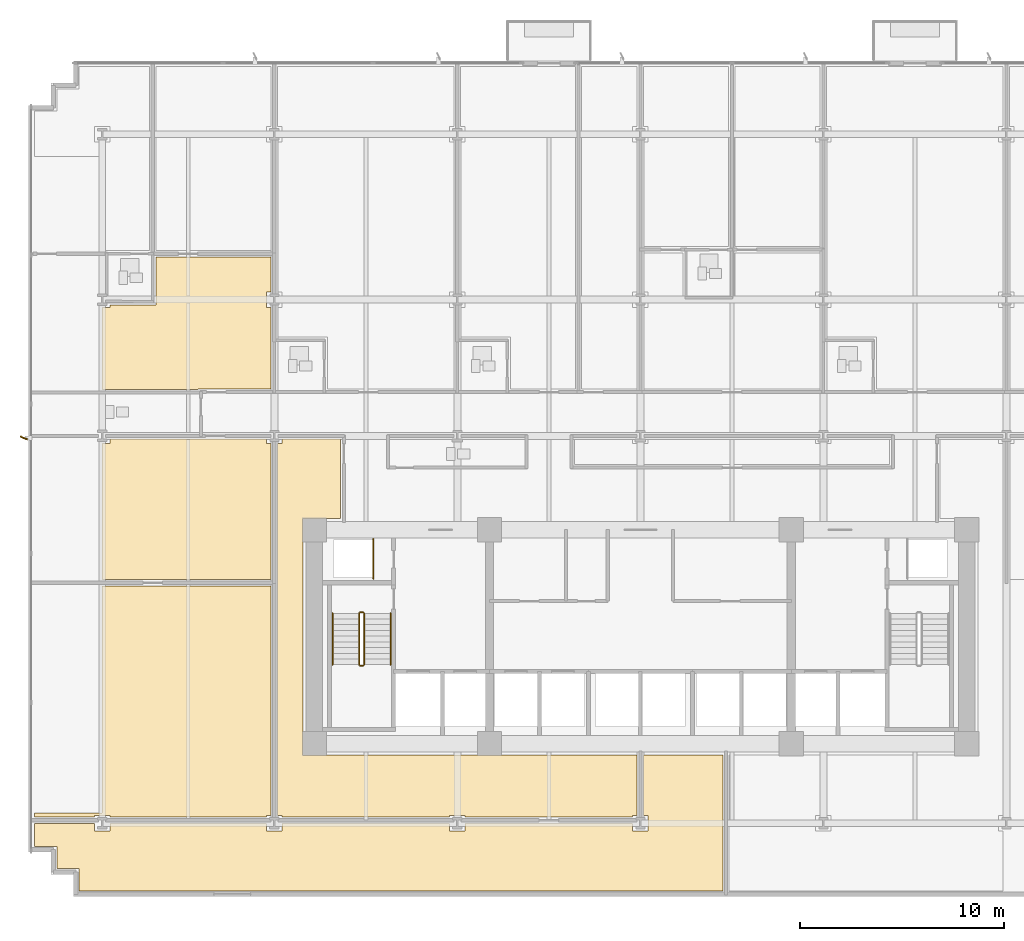
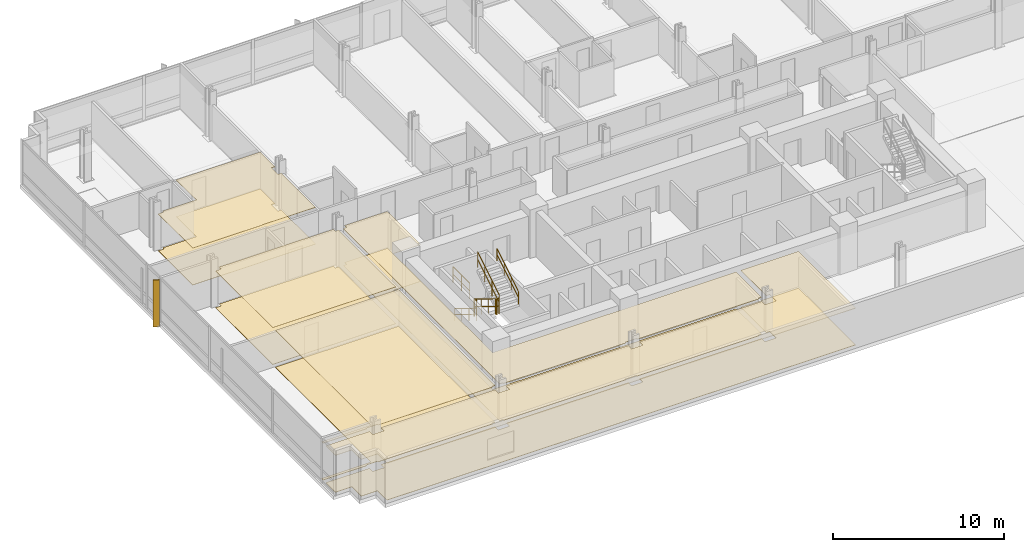
# One storey, part 12 of 16: 10 coverings, 7 railings, 1 shading device.
"""IFC4 building model written with IfcOpenShell, lengths in metres."""

from ifc_helpers import new_model, si_unit, direction, frame, origin, origin_2d, place, context, subcontext, project, spatial, polyline, rectangle, circle, outline, extrude, material, layer, layer_set, type_object, element, save


model = new_model("IFC4")

# Units and contexts
model_context = context("Model", 3, precision=1e-05, world=origin(), true_north=direction((0.0, 1.0)))
body_context = subcontext(model_context, "Body", "Model", "MODEL_VIEW")
ifc_project = project(units=[si_unit("LENGTHUNIT", "METRE"), si_unit("AREAUNIT", "SQUARE_METRE"), si_unit("VOLUMEUNIT", "CUBIC_METRE"), si_unit("PLANEANGLEUNIT", "RADIAN"), si_unit("MASSUNIT", "GRAM", prefix="KILO")], contexts=[model_context])

# Site, building, storey
site_placement = place(None, origin())
site = spatial("IfcSite", under=ifc_project, at=site_placement, CompositionType="ELEMENT")
building_placement = place(site_placement, origin())
building = spatial("IfcBuilding", under=site, at=building_placement, Name="Solmavex Isthmus Hotel", CompositionType="ELEMENT")
storey_placement = place(building_placement, frame((0.0, 0.0, 29.85009765625)))
storey = spatial("IfcBuildingStorey", under=building, at=storey_placement, Name="L07", CompositionType="ELEMENT", Elevation=29.85009765625)

# Coverings
ifc_material_1 = material(Name="Gypsum plasterboard lining", Category="gypsum")
ifc_layer_1 = layer(ifc_material_1, 0.030029296875)
ifc_layer_set_1 = layer_set([ifc_layer_1], Name="Gypsum plasterboard lining")
covering_type_1 = type_object("IfcCoveringType", Name="COV-CEIL-GYP", PredefinedType="CEILING", material=ifc_layer_set_1)
covering_1_placement = place(storey_placement, frame((0.0, 0.0, 2.619873046875)))
element("IfcCovering", 1, at=covering_1_placement, inside=storey, type_object=covering_type_1, Name="Suspended Acoustic Ceiling L07-SH01-LV", PredefinedType="CEILING", context=body_context, shape_type="SweptSolid", body=[
    extrude(outline(polyline([(-26.02001953125, 8.532958984375), (-26.02001953125, 8.407958984375), (-26.39990234375, 8.407958984375), (-26.39990234375, 4.385009765625), (-21.70703125, 4.385009765625), (-21.70703125, 4.405029296875), (-18.10693359375, 4.405029296875), (-18.10693359375, 8.407958984375), (-18.33203125, 8.407958984375), (-18.33203125, 9.16796875), (-18.10693359375, 9.16796875), (-18.10693359375, 10.883056640625), (-23.760986328125, 10.883056640625), (-23.760986328125, 8.532958984375), (-26.02001953125, 8.532958984375)])), origin(), (0.0, 0.0, 1.0), 0.030029296875),
])
covering_2_placement = place(storey_placement, frame((0.0, 0.0, 2.619873046875)))
element("IfcCovering", 2, at=covering_2_placement, inside=storey, type_object=covering_type_1, Name="Suspended Acoustic Ceiling L07-FL12", PredefinedType="CEILING", context=body_context, shape_type="SweptSolid", body=[
    extrude(outline(polyline([(-26.02001953125, 1.945068359375), (-26.02001953125, 1.719970703125), (-26.39990234375, 1.719970703125), (-26.39990234375, -4.945068359375), (-18.10693359375, -4.945068359375), (-18.10693359375, 1.719970703125), (-18.33203125, 1.719970703125), (-18.33203125, 1.945068359375), (-26.02001953125, 1.945068359375)])), origin(), (0.0, 0.0, 1.0), 0.030029296875),
])
covering_3_placement = place(storey_placement, frame((0.0, 0.0, 2.619873046875)))
element("IfcCovering", 3, at=covering_3_placement, inside=storey, type_object=covering_type_1, Name="Suspended Acoustic Ceiling L07-FL14", PredefinedType="CEILING", context=body_context, shape_type="SweptSolid", body=[
    extrude(outline(polyline([(-17.797119140625, -16.52001953125), (-17.572021484375, -16.52001953125), (-17.572021484375, -16.594970703125), (-9.35595703125, -16.594970703125), (-9.35595703125, -16.52001953125), (-8.595947265625, -16.52001953125), (-8.595947265625, -16.594970703125), (-0.3798828125, -16.594970703125), (-0.3798828125, -16.52001953125), (-0.155029296875, -16.52001953125), (-0.155029296875, -13.554931640625), (-16.554931640625, -13.554931640625), (-16.554931640625, -1.945068359375), (-14.698974609375, -1.945068359375), (-14.698974609375, 1.945068359375), (-17.572021484375, 1.945068359375), (-17.572021484375, 1.719970703125), (-17.797119140625, 1.719970703125), (-17.797119140625, -16.52001953125)])), origin(), (0.0, 0.0, 1.0), 0.030029296875),
])
covering_4_placement = place(storey_placement, frame((0.0, 0.0, 2.619873046875)))
element("IfcCovering", 4, at=covering_4_placement, inside=storey, type_object=covering_type_1, Name="Suspended Acoustic Ceiling L07-FL16", PredefinedType="CEILING", context=body_context, shape_type="SweptSolid", body=[
    extrude(outline(polyline([(-26.02001953125, -16.905029296875), (-26.02001953125, -17.280029296875), (-26.780029296875, -17.280029296875), (-26.780029296875, -16.905029296875), (-29.72509765625, -16.905029296875), (-29.72509765625, -18.02490234375), (-28.625, -18.02490234375), (-28.625, -19.125), (-27.52490234375, -19.125), (-27.52490234375, -20.22509765625), (4.044921875, -20.22509765625), (4.044921875, -13.554931640625), (0.155029296875, -13.554931640625), (0.155029296875, -16.52001953125), (0.3798828125, -16.52001953125), (0.3798828125, -17.280029296875), (-0.3798828125, -17.280029296875), (-0.3798828125, -16.905029296875), (-8.595947265625, -16.905029296875), (-8.595947265625, -17.280029296875), (-9.35595703125, -17.280029296875), (-9.35595703125, -16.905029296875), (-17.572021484375, -16.905029296875), (-17.572021484375, -17.280029296875), (-18.33203125, -17.280029296875), (-18.33203125, -16.905029296875), (-26.02001953125, -16.905029296875)])), origin(), (0.0, 0.0, 1.0), 0.030029296875),
])
covering_5_placement = place(storey_placement, frame((0.0, 0.0, 2.619873046875)))
element("IfcCovering", 5, at=covering_5_placement, inside=storey, type_object=covering_type_1, Name="Suspended Acoustic Ceiling L07-FL17", PredefinedType="CEILING", context=body_context, shape_type="SweptSolid", body=[
    extrude(outline(polyline([(-26.780029296875, -16.594970703125), (-26.780029296875, -16.52001953125), (-26.02001953125, -16.52001953125), (-26.02001953125, -16.594970703125), (-18.33203125, -16.594970703125), (-18.33203125, -16.52001953125), (-18.10693359375, -16.52001953125), (-18.10693359375, -5.2548828125), (-26.39990234375, -5.2548828125), (-26.39990234375, -16.39990234375), (-29.72509765625, -16.39990234375), (-29.72509765625, -16.594970703125), (-26.780029296875, -16.594970703125)])), origin(), (0.0, 0.0, 1.0), 0.030029296875),
])
ifc_material_2 = material(Name="Travertine natural stone", Category="masonry")
ifc_layer_2 = layer(ifc_material_2, 0.02490234375)
ifc_layer_set_2 = layer_set([ifc_layer_2], Name="Travertine natural stone")
covering_type_2 = type_object("IfcCoveringType", Name="COV-FLOR-STN", PredefinedType="FLOORING", material=ifc_layer_set_2)
covering_6_placement = place(storey_placement, origin())
element("IfcCovering", 6, at=covering_6_placement, inside=storey, type_object=covering_type_2, Name="Stone and Timber Floor Finish L07-SH01-LV", PredefinedType="FLOORING", context=body_context, shape_type="SweptSolid", body=[
    extrude(outline(polyline([(-26.02001953125, 8.532958984375), (-26.02001953125, 8.407958984375), (-26.39990234375, 8.407958984375), (-26.39990234375, 4.385009765625), (-21.70703125, 4.385009765625), (-21.70703125, 4.405029296875), (-18.10693359375, 4.405029296875), (-18.10693359375, 8.407958984375), (-18.33203125, 8.407958984375), (-18.33203125, 9.16796875), (-18.10693359375, 9.16796875), (-18.10693359375, 10.883056640625), (-23.760986328125, 10.883056640625), (-23.760986328125, 8.532958984375), (-26.02001953125, 8.532958984375)])), origin(), (0.0, 0.0, 1.0), 0.02490234375),
])
covering_7_placement = place(storey_placement, origin())
element("IfcCovering", 7, at=covering_7_placement, inside=storey, type_object=covering_type_2, Name="Stone and Timber Floor Finish L07-FL12", PredefinedType="FLOORING", context=body_context, shape_type="SweptSolid", body=[
    extrude(outline(polyline([(-26.02001953125, 1.945068359375), (-26.02001953125, 1.719970703125), (-26.39990234375, 1.719970703125), (-26.39990234375, -4.945068359375), (-18.10693359375, -4.945068359375), (-18.10693359375, 1.719970703125), (-18.33203125, 1.719970703125), (-18.33203125, 1.945068359375), (-26.02001953125, 1.945068359375)])), origin(), (0.0, 0.0, 1.0), 0.02490234375),
])
covering_8_placement = place(storey_placement, origin())
element("IfcCovering", 8, at=covering_8_placement, inside=storey, type_object=covering_type_2, Name="Stone and Timber Floor Finish L07-FL14", PredefinedType="FLOORING", context=body_context, shape_type="SweptSolid", body=[
    extrude(outline(polyline([(-17.797119140625, -16.52001953125), (-17.572021484375, -16.52001953125), (-17.572021484375, -16.594970703125), (-9.35595703125, -16.594970703125), (-9.35595703125, -16.52001953125), (-8.595947265625, -16.52001953125), (-8.595947265625, -16.594970703125), (-0.3798828125, -16.594970703125), (-0.3798828125, -16.52001953125), (-0.155029296875, -16.52001953125), (-0.155029296875, -13.554931640625), (-16.554931640625, -13.554931640625), (-16.554931640625, -1.945068359375), (-14.698974609375, -1.945068359375), (-14.698974609375, 1.945068359375), (-17.572021484375, 1.945068359375), (-17.572021484375, 1.719970703125), (-17.797119140625, 1.719970703125), (-17.797119140625, -16.52001953125)])), origin(), (0.0, 0.0, 1.0), 0.02490234375),
])
covering_9_placement = place(storey_placement, origin())
element("IfcCovering", 9, at=covering_9_placement, inside=storey, type_object=covering_type_2, Name="Stone and Timber Floor Finish L07-FL16", PredefinedType="FLOORING", context=body_context, shape_type="SweptSolid", body=[
    extrude(outline(polyline([(-26.02001953125, -16.905029296875), (-26.02001953125, -17.280029296875), (-26.780029296875, -17.280029296875), (-26.780029296875, -16.905029296875), (-29.72509765625, -16.905029296875), (-29.72509765625, -18.02490234375), (-28.625, -18.02490234375), (-28.625, -19.125), (-27.52490234375, -19.125), (-27.52490234375, -20.22509765625), (4.044921875, -20.22509765625), (4.044921875, -13.554931640625), (0.155029296875, -13.554931640625), (0.155029296875, -16.52001953125), (0.3798828125, -16.52001953125), (0.3798828125, -17.280029296875), (-0.3798828125, -17.280029296875), (-0.3798828125, -16.905029296875), (-8.595947265625, -16.905029296875), (-8.595947265625, -17.280029296875), (-9.35595703125, -17.280029296875), (-9.35595703125, -16.905029296875), (-17.572021484375, -16.905029296875), (-17.572021484375, -17.280029296875), (-18.33203125, -17.280029296875), (-18.33203125, -16.905029296875), (-26.02001953125, -16.905029296875)])), origin(), (0.0, 0.0, 1.0), 0.02490234375),
])
covering_10_placement = place(storey_placement, origin())
element("IfcCovering", 10, at=covering_10_placement, inside=storey, type_object=covering_type_2, Name="Stone and Timber Floor Finish L07-FL17", PredefinedType="FLOORING", context=body_context, shape_type="SweptSolid", body=[
    extrude(outline(polyline([(-26.780029296875, -16.594970703125), (-26.780029296875, -16.52001953125), (-26.02001953125, -16.52001953125), (-26.02001953125, -16.594970703125), (-18.33203125, -16.594970703125), (-18.33203125, -16.52001953125), (-18.10693359375, -16.52001953125), (-18.10693359375, -5.2548828125), (-26.39990234375, -5.2548828125), (-26.39990234375, -16.39990234375), (-29.72509765625, -16.39990234375), (-29.72509765625, -16.594970703125), (-26.780029296875, -16.594970703125)])), origin(), (0.0, 0.0, 1.0), 0.02490234375),
])

# Railings
ifc_material_3 = material(Name="Clear low-E laminated glass", Category="glass")
ifc_layer_3 = layer(ifc_material_3, 0.080078125)
ifc_layer_set_3 = layer_set([ifc_layer_3], Name="Clear low-E laminated glass")
railing_type_1 = type_object("IfcRailingType", Name="RAIL-ATRIUM-1120", PredefinedType="BALUSTRADE", material=ifc_layer_set_3)
railing_1_placement = place(storey_placement, frame((-13.10009765625, -4.89990234375, 0.0)))
element("IfcRailing", 11, at=railing_1_placement, inside=storey, type_object=railing_type_1, Name="Guardrail Balustrade L07-RSW-01", PredefinedType="BALUSTRADE", context=body_context, shape_type="SweptSolid", body=[
    extrude(circle(Radius=0.02392578125, at=origin_2d()), frame((0.0, 0.0, 1.1259765625), z_axis=(0.0, 1.0, 0.0), x_axis=(-1.0, 0.0, 0.0)), (0.0, 0.0, 1.0), 1.949951171875),
    extrude(circle(Radius=0.02392578125, at=origin_2d()), frame((0.0, 0.0, 0.574951171875), z_axis=(0.0, 1.0, 0.0), x_axis=(-1.0, 0.0, 0.0)), (0.0, 0.0, 1.0), 1.949951171875),
    extrude(circle(Radius=0.02099609375, at=origin_2d()), origin(), (0.0, 0.0, 1.0), 1.101806640625),
    extrude(circle(Radius=0.02099609375, at=origin_2d()), frame((0.0, 0.97509765625, 0.0)), (0.0, 0.0, 1.0), 1.101806640625),
    extrude(circle(Radius=0.02099609375, at=origin_2d()), frame((0.0, 1.949951171875, 0.0)), (0.0, 0.0, 1.0), 1.101806640625),
])
ifc_material_4 = material(Name="Stainless steel 316", Category="steel")
ifc_layer_4 = layer(ifc_material_4, 0.06005859375)
ifc_layer_set_4 = layer_set([ifc_layer_4], Name="Stainless steel 316")
railing_type_2 = type_object("IfcRailingType", Name="RAIL-STAIR-GD", PredefinedType="GUARDRAIL", material=ifc_layer_set_4)
railing_2_placement = place(storey_placement, frame((-13.800048828125, -6.60009765625, 0.17236328125)))
element("IfcRailing", 12, at=railing_2_placement, inside=storey, type_object=railing_type_2, Name="L07 ST-1 stair guard 1", PredefinedType="GUARDRAIL", context=body_context, shape_type="SweptSolid", body=[
    extrude(circle(Radius=0.02392578125, at=origin_2d()), frame((0.0, 0.0, 1.09619140625), z_axis=(0.0, -0.851400495292, 0.524516154772), x_axis=(1.0, 0.0, 0.0)), (0.0, 0.0, 1.0), 2.9599609375),
    extrude(circle(Radius=0.02392578125, at=origin_2d()), frame((0.0, 0.0, 0.56005859375), z_axis=(0.0, -0.851400495292, 0.524516154772), x_axis=(1.0, 0.0, 0.0)), (0.0, 0.0, 1.0), 2.9599609375),
    extrude(circle(Radius=0.02099609375, at=origin_2d()), origin(), (0.0, 0.0, 1.0), 1.072021484375),
    extrude(circle(Radius=0.02099609375, at=origin_2d()), frame((0.0, -0.840087890625, 0.517578125)), (0.0, 0.0, 1.0), 1.072021484375),
    extrude(circle(Radius=0.02099609375, at=origin_2d()), frame((0.0, -1.679931640625, 1.034912109375)), (0.0, 0.0, 1.0), 1.072021484375),
    extrude(circle(Radius=0.02099609375, at=origin_2d()), frame((0.0, -2.52001953125, 1.552490234375)), (0.0, 0.0, 1.0), 1.072021484375),
])
railing_3_placement = place(storey_placement, frame((-13.75, -9.169921875, 1.724853515625)))
element("IfcRailing", 13, at=railing_3_placement, inside=storey, type_object=railing_type_2, Name="L07 ST-1 stair guard 2", PredefinedType="GUARDRAIL", context=body_context, shape_type="SweptSolid", body=[
    extrude(circle(Radius=0.02392578125, at=origin_2d()), frame((0.0, 0.0, 1.09619140625), z_axis=(1.0, 0.0, 0.0), x_axis=(0.0, 1.0, 0.0)), (0.0, 0.0, 1.0), 0.14990234375),
    extrude(circle(Radius=0.02392578125, at=origin_2d()), frame((0.0, 0.0, 0.56005859375), z_axis=(1.0, 0.0, 0.0), x_axis=(0.0, 1.0, 0.0)), (0.0, 0.0, 1.0), 0.14990234375),
    extrude(circle(Radius=0.02099609375, at=origin_2d()), origin(), (0.0, 0.0, 1.0), 1.072021484375),
    extrude(circle(Radius=0.02099609375, at=origin_2d()), frame((0.14990234375, 0.0, 0.0)), (0.0, 0.0, 1.0), 1.072021484375),
])
railing_4_placement = place(storey_placement, frame((-13.550048828125, -9.1201171875, 1.8974609375)))
element("IfcRailing", 14, at=railing_4_placement, inside=storey, type_object=railing_type_2, Name="L07 ST-1 stair guard 3", PredefinedType="GUARDRAIL", context=body_context, shape_type="SweptSolid", body=[
    extrude(circle(Radius=0.02392578125, at=origin_2d()), frame((0.0, 0.0, 1.09619140625), z_axis=(0.0, 0.851400495292, 0.524516154772), x_axis=(-1.0, 0.0, 0.0)), (0.0, 0.0, 1.0), 2.9599609375),
    extrude(circle(Radius=0.02392578125, at=origin_2d()), frame((0.0, 0.0, 0.56005859375), z_axis=(0.0, 0.851400495292, 0.524516154772), x_axis=(-1.0, 0.0, 0.0)), (0.0, 0.0, 1.0), 2.9599609375),
    extrude(circle(Radius=0.02099609375, at=origin_2d()), origin(), (0.0, 0.0, 1.0), 1.072021484375),
    extrude(circle(Radius=0.02099609375, at=origin_2d()), frame((0.0, 0.840087890625, 0.517578125)), (0.0, 0.0, 1.0), 1.072021484375),
    extrude(circle(Radius=0.02099609375, at=origin_2d()), frame((0.0, 1.679931640625, 1.034912109375)), (0.0, 0.0, 1.0), 1.072021484375),
    extrude(circle(Radius=0.02099609375, at=origin_2d()), frame((0.0, 2.52001953125, 1.552490234375)), (0.0, 0.0, 1.0), 1.072021484375),
])
railing_5_placement = place(storey_placement, frame((-13.75, -6.550048828125, 0.0)))
element("IfcRailing", 15, at=railing_5_placement, inside=storey, type_object=railing_type_2, Name="L07 ST-1 stair guard 4", PredefinedType="GUARDRAIL", context=body_context, shape_type="SweptSolid", body=[
    extrude(circle(Radius=0.02392578125, at=origin_2d()), frame((0.0, 0.0, 1.09619140625), z_axis=(1.0, 0.0, 0.0), x_axis=(0.0, 1.0, 0.0)), (0.0, 0.0, 1.0), 0.14990234375),
    extrude(circle(Radius=0.02392578125, at=origin_2d()), frame((0.0, 0.0, 0.56005859375), z_axis=(1.0, 0.0, 0.0), x_axis=(0.0, 1.0, 0.0)), (0.0, 0.0, 1.0), 0.14990234375),
    extrude(circle(Radius=0.02099609375, at=origin_2d()), origin(), (0.0, 0.0, 1.0), 1.072021484375),
    extrude(circle(Radius=0.02099609375, at=origin_2d()), frame((0.14990234375, 0.0, 0.0)), (0.0, 0.0, 1.0), 1.072021484375),
])
ifc_layer_5 = layer(ifc_material_4, 0.050048828125)
ifc_layer_set_5 = layer_set([ifc_layer_5], Name="Stainless steel 316")
railing_type_3 = type_object("IfcRailingType", Name="RAIL-STAIR-HR", PredefinedType="HANDRAIL", material=ifc_layer_set_5)
railing_6_placement = place(storey_placement, frame((-15.10009765625, -6.60009765625, 0.17236328125)))
element("IfcRailing", 16, at=railing_6_placement, inside=storey, type_object=railing_type_3, Name="L07 ST-1 stair handrail 1", PredefinedType="HANDRAIL", context=body_context, shape_type="SweptSolid", body=[
    extrude(circle(Radius=0.02392578125, at=origin_2d()), frame((0.0, 0.0, 0.8759765625), z_axis=(0.0, -0.851400495292, 0.524516154772), x_axis=(1.0, 0.0, 0.0)), (0.0, 0.0, 1.0), 2.9599609375),
    extrude(circle(Radius=0.02392578125, at=origin_2d()), frame((0.0, 0.0, 0.449951171875), z_axis=(0.0, -0.851400495292, 0.524516154772), x_axis=(1.0, 0.0, 0.0)), (0.0, 0.0, 1.0), 2.9599609375),
    extrude(circle(Radius=0.02099609375, at=origin_2d()), origin(), (0.0, 0.0, 1.0), 0.851806640625),
    extrude(circle(Radius=0.02099609375, at=origin_2d()), frame((0.0, -0.840087890625, 0.517578125)), (0.0, 0.0, 1.0), 0.851806640625),
    extrude(circle(Radius=0.02099609375, at=origin_2d()), frame((0.0, -1.679931640625, 1.034912109375)), (0.0, 0.0, 1.0), 0.851806640625),
    extrude(circle(Radius=0.02099609375, at=origin_2d()), frame((0.0, -2.52001953125, 1.552490234375)), (0.0, 0.0, 1.0), 0.851806640625),
])
railing_7_placement = place(storey_placement, frame((-12.25, -9.1201171875, 1.8974609375)))
element("IfcRailing", 17, at=railing_7_placement, inside=storey, type_object=railing_type_3, Name="L07 ST-1 stair handrail 2", PredefinedType="HANDRAIL", context=body_context, shape_type="SweptSolid", body=[
    extrude(circle(Radius=0.02392578125, at=origin_2d()), frame((0.0, 0.0, 0.8759765625), z_axis=(0.0, 0.851400495292, 0.524516154772), x_axis=(-1.0, 0.0, 0.0)), (0.0, 0.0, 1.0), 2.9599609375),
    extrude(circle(Radius=0.02392578125, at=origin_2d()), frame((0.0, 0.0, 0.449951171875), z_axis=(0.0, 0.851400495292, 0.524516154772), x_axis=(-1.0, 0.0, 0.0)), (0.0, 0.0, 1.0), 2.9599609375),
    extrude(circle(Radius=0.02099609375, at=origin_2d()), origin(), (0.0, 0.0, 1.0), 0.851806640625),
    extrude(circle(Radius=0.02099609375, at=origin_2d()), frame((0.0, 0.840087890625, 0.517578125)), (0.0, 0.0, 1.0), 0.851806640625),
    extrude(circle(Radius=0.02099609375, at=origin_2d()), frame((0.0, 1.679931640625, 1.034912109375)), (0.0, 0.0, 1.0), 0.851806640625),
    extrude(circle(Radius=0.02099609375, at=origin_2d()), frame((0.0, 2.52001953125, 1.552490234375)), (0.0, 0.0, 1.0), 0.851806640625),
])

# Shading device
ifc_material_5 = material(Name="Aluminium alloy 6063-T6", Category="aluminium")
shading_device_type = type_object("IfcShadingDeviceType", Name="SHD-FIN-CHAMP", PredefinedType="USERDEFINED", material=ifc_material_5)
shading_device_placement = place(storey_placement, frame((-30.239990234375, 2.0, -0.14013671875), z_axis=(0.0, 0.0, 1.0), x_axis=(-0.913545457643, 0.406736643076, 0.0)))
element("IfcShadingDevice", 18, at=shading_device_placement, inside=storey, type_object=shading_device_type, Name="Anodised Aluminium Solar Fin L07-W1", ObjectType="SOLAR_FIN", PredefinedType="USERDEFINED", context=body_context, shape_type="SweptSolid", body=[
    extrude(rectangle(XDim=0.3798828125, YDim=0.070068359375, at=origin_2d()), origin(), (0.0, 0.0, 1.0), 3.330078125),
])

save(model, "model.ifc")
